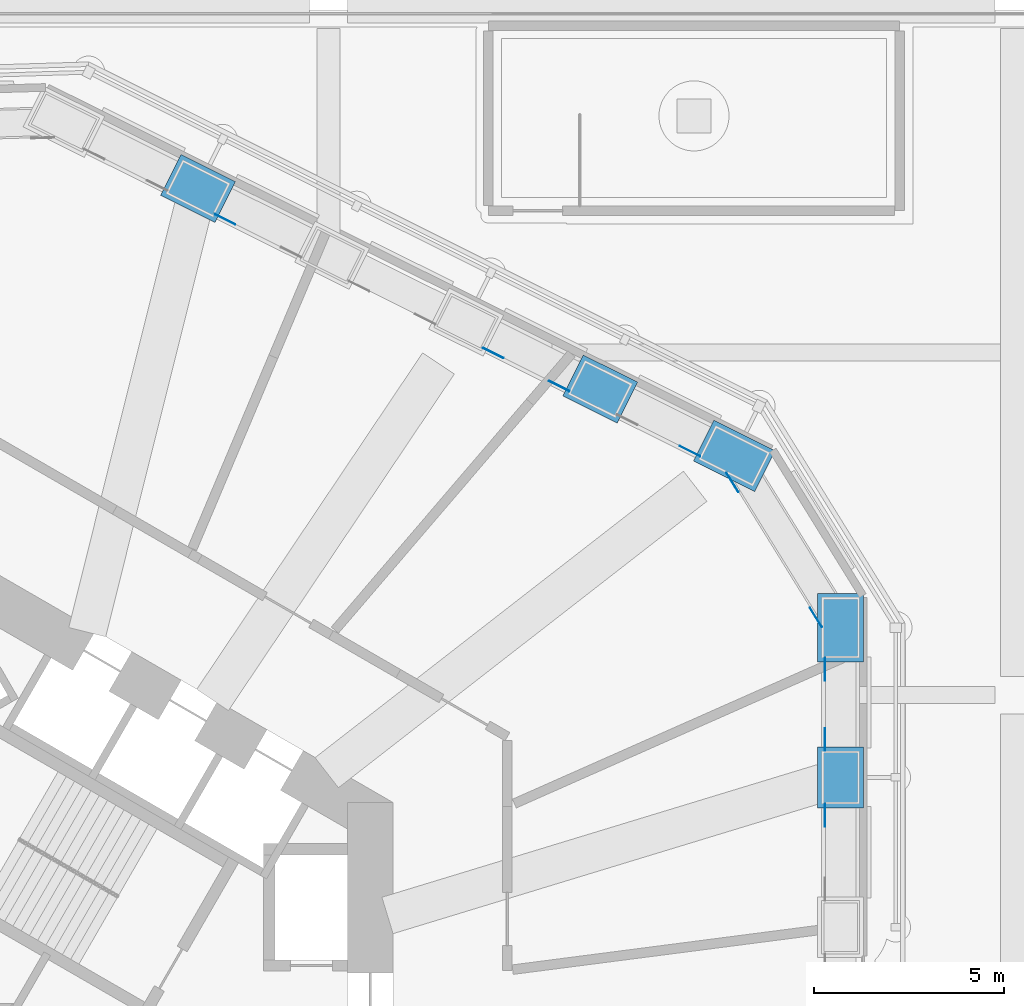
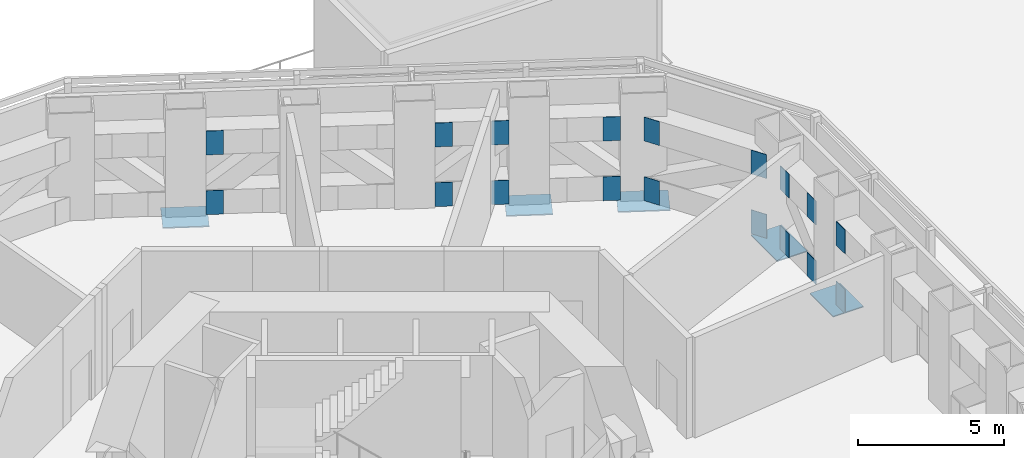
# One storey, part 15 of 20: 23 discrete accessories.
"""IFC4 building model written with IfcOpenShell, lengths in metres."""

from ifc_helpers import new_model, si_unit, direction, frame, origin, origin_2d, place, context, subcontext, project, spatial, rectangle, extrude, material, layer, layer_set, type_object, element, save


model = new_model("IFC4")

# Units and contexts
model_context = context("Model", 3, precision=1e-05, world=origin(), true_north=direction((0.0, 1.0)))
body_context = subcontext(model_context, "Body", "Model", "MODEL_VIEW")
ifc_project = project(units=[si_unit("LENGTHUNIT", "METRE"), si_unit("AREAUNIT", "SQUARE_METRE"), si_unit("VOLUMEUNIT", "CUBIC_METRE"), si_unit("PLANEANGLEUNIT", "RADIAN"), si_unit("MASSUNIT", "GRAM", prefix="KILO")], contexts=[model_context])

# Site, building, storey
site_placement = place(None, origin())
site = spatial("IfcSite", under=ifc_project, at=site_placement, CompositionType="ELEMENT")
building_placement = place(site_placement, origin())
building = spatial("IfcBuilding", under=site, at=building_placement, Name="Vanh Sen Convention Tower", CompositionType="ELEMENT")
storey_placement = place(building_placement, frame((0.0, 0.0, 34.5)))
storey = spatial("IfcBuildingStorey", under=building, at=storey_placement, Name="L05", CompositionType="ELEMENT", Elevation=34.5)

# Discrete accessories
ifc_material = material(Name="Steel S355", Category="steel")
ifc_layer_1 = layer(ifc_material, 0.02001953125)
ifc_layer_set_1 = layer_set([ifc_layer_1], Name="Steel S355")
discrete_accessory_type_1 = type_object("IfcDiscreteAccessoryType", Name="Transfer truss gusset plate 600 x 1000 x 20", PredefinedType="USERDEFINED", material=ifc_layer_set_1)
for number, where, z_axis, x_axis, name in (
    (1, (22.0400390625, 5.843994140625, 0.0), (0.0, 0.0, 1.0), (0.0, -1.0, 0.0), "GUSSET PLATE transfer truss chord bottom 04 L05 end"),
    (2, (22.0400390625, 5.843994140625, 2.5), (0.0, 0.0, 1.0), (0.0, -1.0, 0.0), "GUSSET PLATE transfer truss chord top 04 L05 end"),
    (3, (22.0400390625, 7.833984375, 0.0), (0.0, 0.0, 1.0), (0.0, 1.0, 0.0), "GUSSET PLATE transfer truss chord bottom 05 L05 start"),
    (4, (22.0400390625, 9.6787109375, 0.0), (0.0, 0.0, 1.0), (0.0, -1.0, 0.0), "GUSSET PLATE transfer truss chord bottom 05 L05 end"),
    (5, (22.0400390625, 7.833984375, 2.5), (0.0, 0.0, 1.0), (0.0, 1.0, 0.0), "GUSSET PLATE transfer truss chord top 05 L05 start"),
    (6, (22.0400390625, 9.6787109375, 2.5), (0.0, 0.0, 1.0), (0.0, -1.0, 0.0), "GUSSET PLATE transfer truss chord top 05 L05 end"),
    (7, (21.80322265625, 11.039794921875, 0.0), (0.0, 0.0, 1.0), (-0.526210955359, 0.850354061823, 0.0), "GUSSET PLATE transfer truss chord bottom 06 L05 start"),
    (8, (19.6083984375, 14.586669921875, 0.0), (0.0, 0.0, 1.0), (0.526210955359, -0.850354061823, 0.0), "GUSSET PLATE transfer truss chord bottom 06 L05 end"),
    (9, (21.80322265625, 11.039794921875, 2.5), (0.0, 0.0, 1.0), (-0.526210955359, 0.850354061823, 0.0), "GUSSET PLATE transfer truss chord top 06 L05 start"),
    (10, (19.6083984375, 14.586669921875, 2.5), (0.0, 0.0, 1.0), (0.526210955359, -0.850354061823, 0.0), "GUSSET PLATE transfer truss chord top 06 L05 end"),
    (11, (18.49609375, 15.40576171875, 0.0), (0.0, 0.0, 1.0), (-0.894935140363, 0.446196251154, 0.0), "GUSSET PLATE transfer truss chord bottom 07 L05 start"),
    (12, (18.49609375, 15.40576171875, 2.5), (0.0, 0.0, 1.0), (-0.894935140363, 0.446196251154, 0.0), "GUSSET PLATE transfer truss chord top 07 L05 start"),
    (13, (15.064208984375, 17.11669921875, 0.0), (0.0, 0.0, 1.0), (-0.894935140363, 0.446196251154, 0.0), "GUSSET PLATE transfer truss chord bottom 08 L05 start"),
    (14, (13.32421875, 17.984375, 0.0), (0.0, 0.0, 1.0), (0.894935140363, -0.446196251154, 0.0), "GUSSET PLATE transfer truss chord bottom 08 L05 end"),
    (15, (15.064208984375, 17.11669921875, 2.5), (0.0, 0.0, 1.0), (-0.894935140363, 0.446196251154, 0.0), "GUSSET PLATE transfer truss chord top 08 L05 start"),
    (16, (13.32421875, 17.984375, 2.5), (0.0, 0.0, 1.0), (0.894935140363, -0.446196251154, 0.0), "GUSSET PLATE transfer truss chord top 08 L05 end"),
    (17, (6.28173828125, 21.49560546875, 0.0), (0.0, 0.0, 1.0), (0.894935140363, -0.446196251154, 0.0), "GUSSET PLATE transfer truss chord bottom 10 L05 end"),
    (18, (6.28173828125, 21.49560546875, 2.5), (0.0, 0.0, 1.0), (0.894935140363, -0.446196251154, 0.0), "GUSSET PLATE transfer truss chord top 10 L05 end"),
):
    element("IfcDiscreteAccessory", number, at=place(storey_placement, frame(where, z_axis=z_axis, x_axis=x_axis)), inside=storey, type_object=discrete_accessory_type_1, Name=name, ObjectType="GUSSET PLATE", PredefinedType="USERDEFINED", context=body_context, shape_type="SweptSolid", body=[
        extrude(rectangle(XDim=0.60009765625, YDim=0.02001953125, at=origin_2d()), origin(), (0.0, 0.0, 1.0), 1.0),
    ])
ifc_layer_2 = layer(ifc_material, 0.044921875)
ifc_layer_set_2 = layer_set([ifc_layer_2], Name="Steel S355")
discrete_accessory_type_2 = type_object("IfcDiscreteAccessoryType", Name="Transfer truss post bearing plate 1600 x 1200 x 45", PredefinedType="USERDEFINED", material=ifc_layer_set_2)
for number, where, z_axis, x_axis, name in (
    (19, (22.449951171875, 6.839111328125, -0.39501953125), (0.0, 0.0, 1.0), (0.0, 1.0, 0.0), "BEARING PLATE transfer truss post 05"),
    (20, (16.1376953125, 17.039794921875, -0.39501953125), (0.0, 0.0, 1.0), (-0.894934361602, 0.44619781311, 0.0), "BEARING PLATE transfer truss post 08"),
    (21, (5.57421875, 22.306396484375, -0.39501953125), (0.0, 0.0, 1.0), (-0.894934361602, 0.44619781311, 0.0), "BEARING PLATE transfer truss post 11"),
):
    element("IfcDiscreteAccessory", number, at=place(storey_placement, frame(where, z_axis=z_axis, x_axis=x_axis)), inside=storey, type_object=discrete_accessory_type_2, Name=name, ObjectType="BEARING PLATE", PredefinedType="USERDEFINED", context=body_context, shape_type="SweptSolid", body=[
        extrude(rectangle(XDim=1.60009765625, YDim=1.199951171875, at=origin_2d()), origin(), (0.0, 0.0, 1.0), 0.044921875),
    ])
ifc_layer_3 = layer(ifc_material, 0.044921875)
ifc_layer_set_3 = layer_set([ifc_layer_3], Name="Steel S355")
discrete_accessory_type_3 = type_object("IfcDiscreteAccessoryType", Name="Transfer truss post bearing plate 1800 x 1200 x 45", PredefinedType="USERDEFINED", material=ifc_layer_set_3)
for number, where, z_axis, x_axis, name in (
    (22, (22.449951171875, 10.773681640625, -0.39501953125), (0.0, 0.0, 1.0), (0.0, 1.0, 0.0), "BEARING PLATE transfer truss post 06"),
    (23, (19.658935546875, 15.2841796875, -0.39501953125), (0.0, 0.0, 1.0), (-0.894934361602, 0.44619781311, 0.0), "BEARING PLATE transfer truss post 07"),
):
    element("IfcDiscreteAccessory", number, at=place(storey_placement, frame(where, z_axis=z_axis, x_axis=x_axis)), inside=storey, type_object=discrete_accessory_type_3, Name=name, ObjectType="BEARING PLATE", PredefinedType="USERDEFINED", context=body_context, shape_type="SweptSolid", body=[
        extrude(rectangle(XDim=1.800048828125, YDim=1.199951171875, at=origin_2d()), origin(), (0.0, 0.0, 1.0), 0.044921875),
    ])

save(model, "model.ifc")
